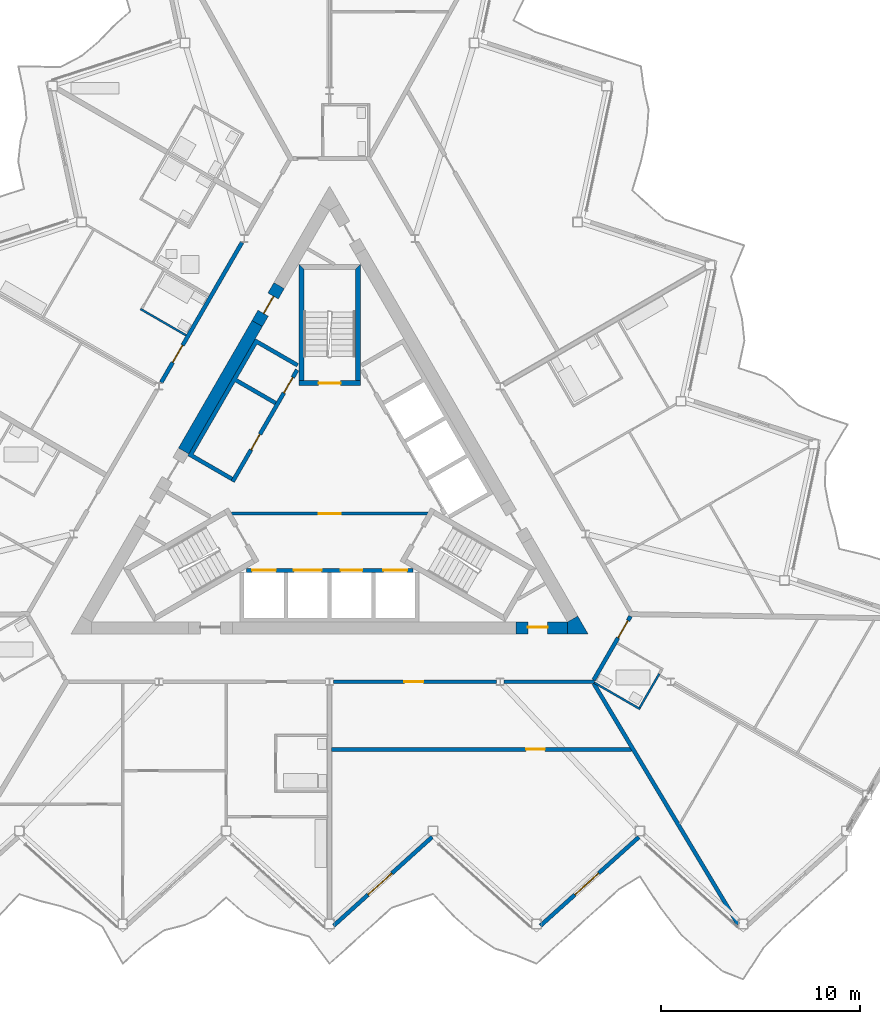
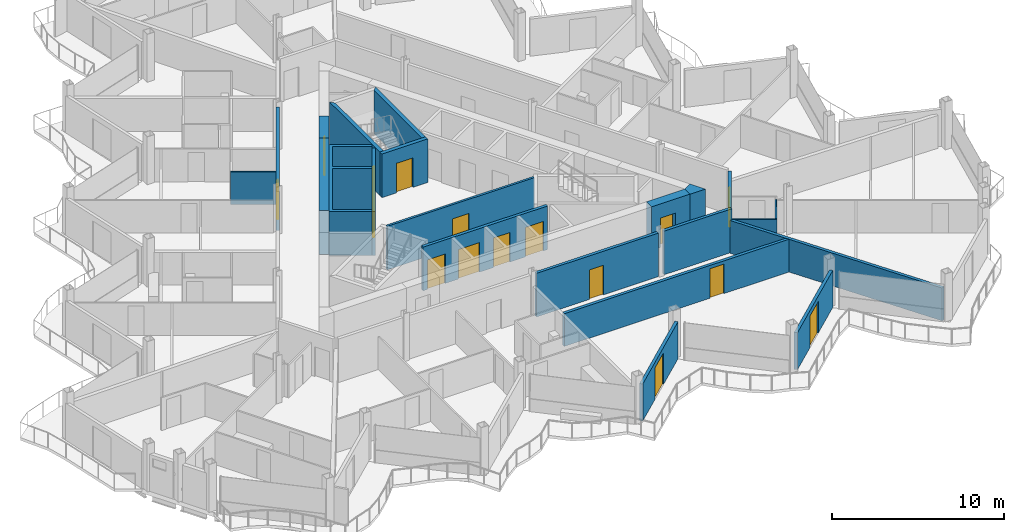
# One storey, part 14 of 26: 22 walls, 16 doors, 16 openings.
"""IFC4 building model written with IfcOpenShell, lengths in metres."""

from ifc_helpers import new_model, si_unit, direction, frame, frame_2d, origin, place, context, subcontext, project, spatial, polyline, rectangle, outline, extrude, material, layer, layer_set, type_object, element, fill, save


model = new_model("IFC4")

# Units and contexts
model_context = context("Model", 3, precision=1e-05, world=origin(), true_north=direction((0.0, 1.0)))
body_context = subcontext(model_context, "Body", "Model", "MODEL_VIEW")
ifc_project = project(units=[si_unit("LENGTHUNIT", "METRE"), si_unit("AREAUNIT", "SQUARE_METRE"), si_unit("VOLUMEUNIT", "CUBIC_METRE"), si_unit("PLANEANGLEUNIT", "RADIAN"), si_unit("MASSUNIT", "GRAM", prefix="KILO")], contexts=[model_context])

# Site, building, storey
site_placement = place(None, origin())
site = spatial("IfcSite", under=ifc_project, at=site_placement, CompositionType="ELEMENT")
building_placement = place(site_placement, origin())
building = spatial("IfcBuilding", under=site, at=building_placement, Name="Cormorant Prow Tower", CompositionType="ELEMENT")
storey_placement = place(building_placement, frame((0.0, 0.0, 381.39990234375)))
storey = spatial("IfcBuildingStorey", under=building, at=storey_placement, Name="L86", CompositionType="ELEMENT", Elevation=381.39990234375)

# Wall, opening, door
ifc_material_1 = material(Name="Gypsum board partition")
ifc_layer_1 = layer(ifc_material_1, 0.14990234375)
ifc_layer_set_1 = layer_set([ifc_layer_1], Name="Gypsum board partition")
wall_type_1 = type_object("IfcWallType", Name="Core partition 150", PredefinedType="PARTITIONING", material=ifc_layer_set_1)
wall_1_placement = place(storey_placement, frame((-4.941162109375, -1.449951171875, 0.0), z_axis=(0.0, 0.0, 1.0), x_axis=(1.0, 0.0, 0.0)))
wall_1 = element("IfcWall", 1, at=wall_1_placement, inside=storey, type_object=wall_type_1, Name="Firefighting lobby partition", PredefinedType="PARTITIONING", context=body_context, shape_type="SweptSolid", body=[
    extrude(rectangle(XDim=9.88232421875, YDim=0.14990234375, at=frame_2d((4.941162109375, 0.0))), origin(), (0.0, 0.0, 1.0), 3.10009765625),
])
opening_1_placement = place(wall_1_placement, frame((4.39111328125, 0.0, 0.0)))
opening_1 = element("IfcOpeningElement", 2, at=opening_1_placement, cuts=wall_1, Name="Opening L86-C11", PredefinedType="OPENING", context=body_context, shape_type="SweptSolid", body=[
    extrude(rectangle(XDim=1.10009765625, YDim=2.10009765625, at=frame_2d((0.550048828125, 1.050048828125))), frame((0.0, 0.0849609375, 0.0), z_axis=(0.0, -1.0, 0.0), x_axis=(1.0, 0.0, 0.0)), (0.0, 0.0, 1.0), 0.169921875),
])
ifc_material_2 = material(Name="Painted steel", Category="steel")
door_type_1 = type_object("IfcDoorType", Name="Firefighting lobby door 1100x2100", OperationType="NOTDEFINED", PredefinedType="DOOR", material=ifc_material_2)
door_1_placement = place(opening_1_placement, origin())
door_1 = element("IfcDoor", 3, at=door_1_placement, inside=storey, type_object=door_type_1, Name="Firefighting lobby door", OperationType="SINGLE_SWING_RIGHT", OverallHeight=2.10009765625, OverallWidth=1.10009765625, PredefinedType="DOOR", context=body_context, shape_type="SweptSolid", body=[
    extrude(rectangle(XDim=1.10009765625, YDim=2.10009765625, at=frame_2d((0.550048828125, 1.050048828125))), frame((0.0, 0.02490234375, 0.0), z_axis=(0.0, -1.0, 0.0), x_axis=(1.0, 0.0, 0.0)), (0.0, 0.0, 1.0), 0.050048828125),
])
fill(opening_1, door_1)

# Walls
ifc_material_3 = material(Name="Concrete 8000 psi", Category="concrete")
ifc_layer_2 = layer(ifc_material_3, 0.60009765625)
ifc_layer_set_2 = layer_set([ifc_layer_2], Name="Concrete 8000 psi")
wall_type_2 = type_object("IfcWallType", Name="Core shear wall 600", PredefinedType="SHEAR", material=ifc_layer_set_2)
wall_2_placement = place(storey_placement, frame((-3.639404296875, 8.107421875, 0.0), z_axis=(0.0, 0.0, 1.0), x_axis=(-0.49999180351, -0.866030135978, 0.0)))
element("IfcWall", 4, at=wall_2_placement, inside=storey, type_object=wall_type_2, Name="Core wall", PredefinedType="SHEAR", context=body_context, shape_type="SweptSolid", body=[
    extrude(rectangle(XDim=7.4013671875, YDim=0.60009765625, at=frame_2d((3.70068359375, 0.0))), origin(), (0.0, 0.0, 1.0), 3.10009765625),
])
wall_3_placement = place(storey_placement, origin())
element("IfcWall", 5, at=wall_3_placement, inside=storey, type_object=wall_type_2, Name="Core wall corner", PredefinedType="SHEAR", context=body_context, shape_type="SweptSolid", body=[
    extrude(outline(polyline([(11.960693359375, -7.505615234375), (11.960693359375, -6.905517578125), (12.48046875, -6.605712890625), (13.0, -7.505615234375), (11.960693359375, -7.505615234375)])), origin(), (0.0, 0.0, 1.0), 3.10009765625),
])

# Wall, opening, door
wall_4_placement = place(storey_placement, frame((9.36865234375, -7.20556640625, 0.0), z_axis=(0.0, 0.0, 1.0), x_axis=(1.0, 0.0, 0.0)))
wall_4 = element("IfcWall", 6, at=wall_4_placement, inside=storey, type_object=wall_type_2, Name="Core wall door panel", PredefinedType="SHEAR", context=body_context, shape_type="SweptSolid", body=[
    extrude(rectangle(XDim=2.592041015625, YDim=0.60009765625, at=frame_2d((1.2958984375, 0.0))), origin(), (0.0, 0.0, 1.0), 3.10009765625),
])
opening_2_placement = place(wall_4_placement, frame((0.60009765625, 0.0, 0.0)))
opening_2 = element("IfcOpeningElement", 7, at=opening_2_placement, cuts=wall_4, Name="Opening L86-C15", PredefinedType="OPENING", context=body_context, shape_type="SweptSolid", body=[
    extrude(rectangle(XDim=1.0, YDim=2.10009765625, at=frame_2d((0.5, 1.050048828125))), frame((0.0, 0.31005859375, 0.0), z_axis=(0.0, -1.0, 0.0), x_axis=(1.0, 0.0, 0.0)), (0.0, 0.0, 1.0), 0.6201171875),
])
ifc_material_4 = material(Name="Painted steel", Category="steel")
door_type_2 = type_object("IfcDoorType", Name="Service door 1000x2100", OperationType="NOTDEFINED", PredefinedType="DOOR", material=ifc_material_4)
door_2_placement = place(opening_2_placement, origin())
door_2 = element("IfcDoor", 8, at=door_2_placement, inside=storey, type_object=door_type_2, Name="Core door, Telecom room", OperationType="SINGLE_SWING_RIGHT", OverallHeight=2.10009765625, OverallWidth=1.0, PredefinedType="DOOR", context=body_context, shape_type="SweptSolid", body=[
    extrude(rectangle(XDim=1.0, YDim=2.10009765625, at=frame_2d((0.5, 1.050048828125))), frame((0.0, 0.05517578125, 0.0), z_axis=(0.0, -1.0, 0.0), x_axis=(1.0, 0.0, 0.0)), (0.0, 0.0, 1.0), 0.050048828125),
])
fill(opening_2, door_2)

wall_5_placement = place(storey_placement, frame((-2.539306640625, 10.0126953125, 0.0), z_axis=(0.0, 0.0, 1.0), x_axis=(-0.50002983664, -0.866008176907, 0.0)))
wall_5 = element("IfcWall", 9, at=wall_5_placement, inside=storey, type_object=wall_type_2, Name="Core wall door panel", PredefinedType="SHEAR", context=body_context, shape_type="SweptSolid", body=[
    extrude(rectangle(XDim=2.199951171875, YDim=0.60009765625, at=frame_2d((1.10009765625, 0.0))), origin(), (0.0, 0.0, 1.0), 3.10009765625),
])
opening_3_placement = place(wall_5_placement, frame((0.60009765625, 0.0, 0.0)))
opening_3 = element("IfcOpeningElement", 10, at=opening_3_placement, cuts=wall_5, Name="Opening L86-C19", PredefinedType="OPENING", context=body_context, shape_type="SweptSolid", body=[
    extrude(rectangle(XDim=1.0, YDim=2.10009765625, at=frame_2d((0.5, 1.050048828125))), frame((0.0, 0.31005859375, 0.0), z_axis=(0.0, -1.0, 0.0), x_axis=(1.0, 0.0, 0.0)), (0.0, 0.0, 1.0), 0.6201171875),
])
door_3_placement = place(opening_3_placement, origin())
door_3 = element("IfcDoor", 11, at=door_3_placement, inside=storey, type_object=door_type_2, Name="Core door, Telecom room", OperationType="SINGLE_SWING_LEFT", OverallHeight=2.10009765625, OverallWidth=1.0, PredefinedType="DOOR", context=body_context, shape_type="SweptSolid", body=[
    extrude(rectangle(XDim=1.0, YDim=2.10009765625, at=frame_2d((0.5, 1.050048828125))), frame((0.0, 0.05517578125, 0.0), z_axis=(0.0, -1.0, 0.0), x_axis=(1.0, 0.0, 0.0)), (0.0, 0.0, 1.0), 0.050048828125),
])
fill(opening_3, door_3)

ifc_material_5 = material(Name="Gypsum board corridor wall")
ifc_layer_3 = layer(ifc_material_5, 0.199951171875)
ifc_layer_set_3 = layer_set([ifc_layer_3], Name="Gypsum board corridor wall")
wall_type_3 = type_object("IfcWallType", Name="Corridor wall 200", PredefinedType="PARTITIONING", material=ifc_layer_set_3)
wall_6_placement = place(storey_placement, frame((0.197021484375, -9.905517578125, 0.0), z_axis=(0.0, 0.0, 1.0), x_axis=(1.0, 0.0, 0.0)))
wall_6 = element("IfcWall", 12, at=wall_6_placement, inside=storey, type_object=wall_type_3, Name="Corridor wall", PredefinedType="PARTITIONING", context=body_context, shape_type="SweptSolid", body=[
    extrude(rectangle(XDim=8.1845703125, YDim=0.199951171875, at=frame_2d((4.09228515625, 0.0))), origin(), (0.0, 0.0, 1.0), 3.10009765625),
])
opening_4_placement = place(wall_6_placement, frame((3.56689453125, 0.0, 0.0)))
opening_4 = element("IfcOpeningElement", 13, at=opening_4_placement, cuts=wall_6, Name="Opening L86-F08", PredefinedType="OPENING", context=body_context, shape_type="SweptSolid", body=[
    extrude(rectangle(XDim=0.949951171875, YDim=2.10009765625, at=frame_2d((0.47509765625, 1.050048828125))), frame((0.0, 0.10986328125, 0.0), z_axis=(0.0, -1.0, 0.0), x_axis=(1.0, 0.0, 0.0)), (0.0, 0.0, 1.0), 0.219970703125),
])
ifc_material_6 = material(Name="Timber door leaf", Category="wood")
door_type_3 = type_object("IfcDoorType", Name="Store door 950x2100", OperationType="NOTDEFINED", PredefinedType="DOOR", material=ifc_material_6)
door_4_placement = place(opening_4_placement, origin())
door_4 = element("IfcDoor", 14, at=door_4_placement, inside=storey, type_object=door_type_3, Name="Bicycle store door", OperationType="SINGLE_SWING_LEFT", OverallHeight=2.10009765625, OverallWidth=0.949951171875, PredefinedType="DOOR", context=body_context, shape_type="SweptSolid", body=[
    extrude(rectangle(XDim=0.949951171875, YDim=2.10009765625, at=frame_2d((0.47509765625, 1.050048828125))), frame((0.0, 0.02490234375, 0.0), z_axis=(0.0, -1.0, 0.0), x_axis=(1.0, 0.0, 0.0)), (0.0, 0.0, 1.0), 0.050048828125),
])
fill(opening_4, door_4)

wall_7_placement = place(storey_placement, frame((-8.464599609375, 5.14990234375, 0.0), z_axis=(0.0, 0.0, 1.0), x_axis=(0.499992155518, 0.866029932751, 0.0)))
wall_7 = element("IfcWall", 15, at=wall_7_placement, inside=storey, type_object=wall_type_3, Name="Corridor wall", PredefinedType="PARTITIONING", context=body_context, shape_type="SweptSolid", body=[
    extrude(rectangle(XDim=8.123291015625, YDim=0.199951171875, at=frame_2d((4.0615234375, 0.0))), origin(), (0.0, 0.0, 1.0), 3.10009765625),
])
opening_5_placement = place(wall_7_placement, frame((1.1533203125, 0.0, 0.0)))
opening_5 = element("IfcOpeningElement", 16, at=opening_5_placement, cuts=wall_7, Name="Opening L86-F33", PredefinedType="OPENING", context=body_context, shape_type="SweptSolid", body=[
    extrude(rectangle(XDim=1.0, YDim=2.10009765625, at=frame_2d((0.5, 1.050048828125))), frame((0.0, 0.10986328125, 0.0), z_axis=(0.0, -1.0, 0.0), x_axis=(1.0, 0.0, 0.0)), (0.0, 0.0, 1.0), 0.219970703125),
])
ifc_material_7 = material(Name="Timber door leaf", Category="wood")
door_type_4 = type_object("IfcDoorType", Name="Flat or room entrance door 1000x2100", OperationType="NOTDEFINED", PredefinedType="DOOR", material=ifc_material_7)
door_5_placement = place(opening_5_placement, origin())
door_5 = element("IfcDoor", 17, at=door_5_placement, inside=storey, type_object=door_type_4, Name="Living room door", OperationType="SINGLE_SWING_RIGHT", OverallHeight=2.10009765625, OverallWidth=1.0, PredefinedType="DOOR", context=body_context, shape_type="SweptSolid", body=[
    extrude(rectangle(XDim=1.0, YDim=2.10009765625, at=frame_2d((0.5, 1.050048828125))), frame((0.0, 0.02490234375, 0.0), z_axis=(0.0, -1.0, 0.0), x_axis=(1.0, 0.0, 0.0)), (0.0, 0.0, 1.0), 0.050048828125),
])
fill(opening_5, door_5)

# Wall
wall_8_placement = place(storey_placement, frame((8.775390625, -9.905517578125, 0.0), z_axis=(0.0, 0.0, 1.0), x_axis=(1.0, 0.0, 0.0)))
element("IfcWall", 18, at=wall_8_placement, inside=storey, type_object=wall_type_3, Name="Corridor wall", PredefinedType="PARTITIONING", context=body_context, shape_type="SweptSolid", body=[
    extrude(rectangle(XDim=4.555419921875, YDim=0.199951171875, at=frame_2d((2.27783203125, 0.0))), origin(), (0.0, 0.0, 1.0), 3.10009765625),
])

# Wall, opening, door
wall_9_placement = place(storey_placement, frame((13.281005859375, -9.819091796875, 0.0), z_axis=(0.0, 0.0, 1.0), x_axis=(0.499948957823, 0.866054870994, 0.0)))
wall_9 = element("IfcWall", 19, at=wall_9_placement, inside=storey, type_object=wall_type_3, Name="Corridor wall", PredefinedType="PARTITIONING", context=body_context, shape_type="SweptSolid", body=[
    extrude(rectangle(XDim=3.701171875, YDim=0.199951171875, at=frame_2d((1.8505859375, 0.0))), origin(), (0.0, 0.0, 1.0), 3.10009765625),
])
opening_6_placement = place(wall_9_placement, frame((2.450927734375, 0.0, 0.0)))
opening_6 = element("IfcOpeningElement", 20, at=opening_6_placement, cuts=wall_9, Name="Opening L86-F10", PredefinedType="OPENING", context=body_context, shape_type="SweptSolid", body=[
    extrude(rectangle(XDim=1.0, YDim=2.10009765625, at=frame_2d((0.5, 1.050048828125))), frame((0.0, 0.10986328125, 0.0), z_axis=(0.0, -1.0, 0.0), x_axis=(1.0, 0.0, 0.0)), (0.0, 0.0, 1.0), 0.219970703125),
])
door_6_placement = place(opening_6_placement, origin())
door_6 = element("IfcDoor", 21, at=door_6_placement, inside=storey, type_object=door_type_4, Name="Living room door", OperationType="SINGLE_SWING_RIGHT", OverallHeight=2.10009765625, OverallWidth=1.0, PredefinedType="DOOR", context=body_context, shape_type="SweptSolid", body=[
    extrude(rectangle(XDim=1.0, YDim=2.10009765625, at=frame_2d((0.5, 1.050048828125))), frame((0.0, 0.02490234375, 0.0), z_axis=(0.0, -1.0, 0.0), x_axis=(1.0, 0.0, 0.0)), (0.0, 0.0, 1.0), 0.050048828125),
])
fill(opening_6, door_6)

ifc_material_8 = material(Name="Gypsum board demising wall")
ifc_layer_4 = layer(ifc_material_8, 0.199951171875)
ifc_layer_set_4 = layer_set([ifc_layer_4], Name="Gypsum board demising wall")
wall_type_4 = type_object("IfcWallType", Name="Demising wall 200", PredefinedType="PARTITIONING", material=ifc_layer_set_4)
wall_10_placement = place(storey_placement, frame((0.10009765625, -13.3056640625, 0.0), z_axis=(0.0, 0.0, 1.0), x_axis=(1.0, 0.0, 0.0)))
wall_10 = element("IfcWall", 22, at=wall_10_placement, inside=storey, type_object=wall_type_4, Name="Demising wall", PredefinedType="PARTITIONING", context=body_context, shape_type="SweptSolid", body=[
    extrude(rectangle(XDim=15.09375, YDim=0.199951171875, at=frame_2d((7.546875, 0.0))), origin(), (0.0, 0.0, 1.0), 2.330078125),
])
opening_7_placement = place(wall_10_placement, frame((9.78076171875, 0.0, 0.0)))
opening_7 = element("IfcOpeningElement", 23, at=opening_7_placement, cuts=wall_10, Name="Opening L86-F09", PredefinedType="OPENING", context=body_context, shape_type="SweptSolid", body=[
    extrude(rectangle(XDim=0.949951171875, YDim=2.10009765625, at=frame_2d((0.47509765625, 1.050048828125))), frame((0.0, 0.10986328125, 0.0), z_axis=(0.0, -1.0, 0.0), x_axis=(1.0, 0.0, 0.0)), (0.0, 0.0, 1.0), 0.219970703125),
])
door_7_placement = place(opening_7_placement, origin())
door_7 = element("IfcDoor", 24, at=door_7_placement, inside=storey, type_object=door_type_3, Name="Refuse room door", OperationType="SINGLE_SWING_LEFT", OverallHeight=2.10009765625, OverallWidth=0.949951171875, PredefinedType="DOOR", context=body_context, shape_type="SweptSolid", body=[
    extrude(rectangle(XDim=0.949951171875, YDim=2.10009765625, at=frame_2d((0.47509765625, 1.050048828125))), frame((0.0, 0.02490234375, 0.0), z_axis=(0.0, -1.0, 0.0), x_axis=(1.0, 0.0, 0.0)), (0.0, 0.0, 1.0), 0.050048828125),
])
fill(opening_7, door_7)

# Walls
wall_11_placement = place(storey_placement, frame((13.2822265625, -9.9912109375, 0.0), z_axis=(0.0, 0.0, 1.0), x_axis=(0.513867741763, -0.857869421285, 0.0)))
element("IfcWall", 25, at=wall_11_placement, inside=storey, type_object=wall_type_4, Name="Demising wall", PredefinedType="PARTITIONING", context=body_context, shape_type="SweptSolid", body=[
    extrude(rectangle(XDim=14.123779296875, YDim=0.199951171875, at=frame_2d((7.06201171875, 0.0))), origin(), (0.0, 0.0, 1.0), 2.330078125),
])
ifc_material_9 = material(Name="Gypsum board partition")
ifc_layer_5 = layer(ifc_material_9, 0.10009765625)
ifc_layer_set_5 = layer_set([ifc_layer_5], Name="Gypsum board partition")
wall_type_5 = type_object("IfcWallType", Name="Internal partition 100", PredefinedType="PARTITIONING", material=ifc_layer_set_5)
wall_12_placement = place(storey_placement, frame((-9.510009765625, 8.83935546875, 0.0), z_axis=(0.0, 0.0, 1.0), x_axis=(0.866029095148, -0.499993606316, 0.0)))
element("IfcWall", 26, at=wall_12_placement, inside=storey, type_object=wall_type_5, Name="Internal partition", PredefinedType="PARTITIONING", context=body_context, shape_type="SweptSolid", body=[
    extrude(rectangle(XDim=2.64990234375, YDim=0.10009765625, at=frame_2d((1.324951171875, 0.0))), origin(), (0.0, 0.0, 1.0), 2.330078125),
])
wall_13_placement = place(storey_placement, frame((13.3173828125, -9.95556640625, 0.0), z_axis=(0.0, 0.0, 1.0), x_axis=(0.866052124492, -0.499953715521, 0.0)))
element("IfcWall", 27, at=wall_13_placement, inside=storey, type_object=wall_type_5, Name="Internal partition", PredefinedType="PARTITIONING", context=body_context, shape_type="SweptSolid", body=[
    extrude(rectangle(XDim=2.650146484375, YDim=0.10009765625, at=frame_2d((1.3251953125, 0.0))), origin(), (0.0, 0.0, 1.0), 2.330078125),
])
wall_14_placement = place(storey_placement, frame((15.59423828125, -11.21240234375, 0.0), z_axis=(0.0, 0.0, 1.0), x_axis=(0.500011643316, 0.866018681408, 0.0)))
element("IfcWall", 28, at=wall_14_placement, inside=storey, type_object=wall_type_5, Name="Internal partition", PredefinedType="PARTITIONING", context=body_context, shape_type="SweptSolid", body=[
    extrude(rectangle(XDim=1.97314453125, YDim=0.10009765625, at=frame_2d((0.986572265625, 0.0))), origin(), (0.0, 0.0, 1.0), 2.330078125),
])

# Wall, openings, doors
ifc_material_10 = material(Name="Concrete 5000 psi", Category="concrete")
ifc_layer_6 = layer(ifc_material_10, 0.199951171875)
ifc_layer_set_6 = layer_set([ifc_layer_6], Name="Concrete 5000 psi")
wall_type_6 = type_object("IfcWallType", Name="Lift lobby wall 200", PredefinedType="SOLIDWALL", material=ifc_layer_set_6)
wall_15_placement = place(storey_placement, frame((-4.1865234375, -4.300048828125, 0.0), z_axis=(0.0, 0.0, 1.0), x_axis=(1.0, 0.0, 0.0)))
wall_15 = element("IfcWall", 29, at=wall_15_placement, inside=storey, type_object=wall_type_6, Name="Lift lobby wall, S block", PredefinedType="SOLIDWALL", context=body_context, shape_type="SweptSolid", body=[
    extrude(rectangle(XDim=8.373046875, YDim=0.199951171875, at=frame_2d((4.1865234375, 0.0))), origin(), (0.0, 0.0, 1.0), 3.10009765625),
])
opening_8_placement = place(wall_15_placement, frame((0.28662109375, 0.0, 0.0)))
opening_8 = element("IfcOpeningElement", 30, at=opening_8_placement, cuts=wall_15, Name="Opening L86-C01", PredefinedType="OPENING", context=body_context, shape_type="SweptSolid", body=[
    extrude(rectangle(XDim=1.199951171875, YDim=2.10009765625, at=frame_2d((0.60009765625, 1.050048828125))), frame((0.0, 0.10986328125, 0.0), z_axis=(0.0, -1.0, 0.0), x_axis=(1.0, 0.0, 0.0)), (0.0, 0.0, 1.0), 0.219970703125),
])
opening_9_placement = place(wall_15_placement, frame((2.38671875, 0.0, 0.0)))
opening_9 = element("IfcOpeningElement", 31, at=opening_9_placement, cuts=wall_15, Name="Opening L86-C02", PredefinedType="OPENING", context=body_context, shape_type="SweptSolid", body=[
    extrude(rectangle(XDim=1.39990234375, YDim=2.10009765625, at=frame_2d((0.699951171875, 1.050048828125))), frame((0.0, 0.10986328125, 0.0), z_axis=(0.0, -1.0, 0.0), x_axis=(1.0, 0.0, 0.0)), (0.0, 0.0, 1.0), 0.219970703125),
])
opening_10_placement = place(wall_15_placement, frame((4.736572265625, 0.0, 0.0)))
opening_10 = element("IfcOpeningElement", 32, at=opening_10_placement, cuts=wall_15, Name="Opening L86-C03", PredefinedType="OPENING", context=body_context, shape_type="SweptSolid", body=[
    extrude(rectangle(XDim=1.10009765625, YDim=2.10009765625, at=frame_2d((0.550048828125, 1.050048828125))), frame((0.0, 0.10986328125, 0.0), z_axis=(0.0, -1.0, 0.0), x_axis=(1.0, 0.0, 0.0)), (0.0, 0.0, 1.0), 0.219970703125),
])
opening_11_placement = place(wall_15_placement, frame((6.88671875, 0.0, 0.0)))
opening_11 = element("IfcOpeningElement", 33, at=opening_11_placement, cuts=wall_15, Name="Opening L86-C04", PredefinedType="OPENING", context=body_context, shape_type="SweptSolid", body=[
    extrude(rectangle(XDim=1.199951171875, YDim=2.10009765625, at=frame_2d((0.60009765625, 1.050048828125))), frame((0.0, 0.10986328125, 0.0), z_axis=(0.0, -1.0, 0.0), x_axis=(1.0, 0.0, 0.0)), (0.0, 0.0, 1.0), 0.219970703125),
])
ifc_material_11 = material(Name="Painted steel", Category="steel")
door_type_5 = type_object("IfcDoorType", Name="Firefighting lift landing door 1200x2100", OperationType="SLIDING_TO_LEFT", PredefinedType="DOOR", material=ifc_material_11)
door_8_placement = place(opening_8_placement, origin())
door_8 = element("IfcDoor", 34, at=door_8_placement, inside=storey, type_object=door_type_5, Name="Landing door FL1", OperationType="SLIDING_TO_LEFT", OverallHeight=2.10009765625, OverallWidth=1.199951171875, PredefinedType="DOOR", context=body_context, shape_type="SweptSolid", body=[
    extrude(rectangle(XDim=1.199951171875, YDim=2.10009765625, at=frame_2d((0.60009765625, 1.050048828125))), frame((0.0, 0.02490234375, 0.0), z_axis=(0.0, -1.0, 0.0), x_axis=(1.0, 0.0, 0.0)), (0.0, 0.0, 1.0), 0.050048828125),
])
fill(opening_8, door_8)
door_9_placement = place(opening_11_placement, origin())
door_9 = element("IfcDoor", 35, at=door_9_placement, inside=storey, type_object=door_type_5, Name="Landing door FL2", OperationType="SLIDING_TO_LEFT", OverallHeight=2.10009765625, OverallWidth=1.199951171875, PredefinedType="DOOR", context=body_context, shape_type="SweptSolid", body=[
    extrude(rectangle(XDim=1.199951171875, YDim=2.10009765625, at=frame_2d((0.60009765625, 1.050048828125))), frame((0.0, 0.02490234375, 0.0), z_axis=(0.0, -1.0, 0.0), x_axis=(1.0, 0.0, 0.0)), (0.0, 0.0, 1.0), 0.050048828125),
])
fill(opening_11, door_9)
ifc_material_12 = material(Name="Painted steel", Category="steel")
door_type_6 = type_object("IfcDoorType", Name="Lift landing door 1100x2100", OperationType="SLIDING_TO_LEFT", PredefinedType="DOOR", material=ifc_material_12)
door_10_placement = place(opening_10_placement, origin())
door_10 = element("IfcDoor", 36, at=door_10_placement, inside=storey, type_object=door_type_6, Name="Landing door HR1", OperationType="SLIDING_TO_LEFT", OverallHeight=2.10009765625, OverallWidth=1.10009765625, PredefinedType="DOOR", context=body_context, shape_type="SweptSolid", body=[
    extrude(rectangle(XDim=1.10009765625, YDim=2.10009765625, at=frame_2d((0.550048828125, 1.050048828125))), frame((0.0, 0.02490234375, 0.0), z_axis=(0.0, -1.0, 0.0), x_axis=(1.0, 0.0, 0.0)), (0.0, 0.0, 1.0), 0.050048828125),
])
fill(opening_10, door_10)
ifc_material_13 = material(Name="Painted steel", Category="steel")
door_type_7 = type_object("IfcDoorType", Name="Service lift landing door 1400x2100", OperationType="SLIDING_TO_LEFT", PredefinedType="DOOR", material=ifc_material_13)
door_11_placement = place(opening_9_placement, origin())
door_11 = element("IfcDoor", 37, at=door_11_placement, inside=storey, type_object=door_type_7, Name="Landing door SL1", OperationType="SLIDING_TO_LEFT", OverallHeight=2.10009765625, OverallWidth=1.39990234375, PredefinedType="DOOR", context=body_context, shape_type="SweptSolid", body=[
    extrude(rectangle(XDim=1.39990234375, YDim=2.10009765625, at=frame_2d((0.699951171875, 1.050048828125))), frame((0.0, 0.02490234375, 0.0), z_axis=(0.0, -1.0, 0.0), x_axis=(1.0, 0.0, 0.0)), (0.0, 0.0, 1.0), 0.050048828125),
])
fill(opening_9, door_11)

wall_16_placement = place(storey_placement, frame((-1.630615234375, 5.775634765625, 0.0), z_axis=(0.0, 0.0, 1.0), x_axis=(-0.499992876559, -0.866029516466, 0.0)))
wall_16 = element("IfcWall", 38, at=wall_16_placement, inside=storey, type_object=wall_type_6, Name="Lift lobby wall, WNW block", PredefinedType="SOLIDWALL", context=body_context, shape_type="SweptSolid", body=[
    extrude(rectangle(XDim=6.486328125, YDim=0.199951171875, at=frame_2d((3.2431640625, 0.0))), origin(), (0.0, 0.0, 1.0), 3.10009765625),
])
opening_12_placement = place(wall_16_placement, frame((0.4365234375, 0.0, 0.0)))
opening_12 = element("IfcOpeningElement", 39, at=opening_12_placement, cuts=wall_16, Name="Opening L86-C09", PredefinedType="OPENING", context=body_context, shape_type="SweptSolid", body=[
    extrude(rectangle(XDim=0.89990234375, YDim=2.10009765625, at=frame_2d((0.449951171875, 1.050048828125))), frame((0.0, 0.10986328125, 0.0), z_axis=(0.0, -1.0, 0.0), x_axis=(1.0, 0.0, 0.0)), (0.0, 0.0, 1.0), 0.219970703125),
])
opening_13_placement = place(wall_16_placement, frame((3.736572265625, 0.0, 0.0)))
opening_13 = element("IfcOpeningElement", 40, at=opening_13_placement, cuts=wall_16, Name="Opening L86-C10", PredefinedType="OPENING", context=body_context, shape_type="SweptSolid", body=[
    extrude(rectangle(XDim=0.89990234375, YDim=2.10009765625, at=frame_2d((0.449951171875, 1.050048828125))), frame((0.0, 0.10986328125, 0.0), z_axis=(0.0, -1.0, 0.0), x_axis=(1.0, 0.0, 0.0)), (0.0, 0.0, 1.0), 0.219970703125),
])
ifc_material_14 = material(Name="Painted steel", Category="steel")
door_type_8 = type_object("IfcDoorType", Name="Service door 900x2100", OperationType="NOTDEFINED", PredefinedType="DOOR", material=ifc_material_14)
door_12_placement = place(opening_12_placement, origin())
door_12 = element("IfcDoor", 41, at=door_12_placement, inside=storey, type_object=door_type_8, Name="Service door, Electrical room", OperationType="SINGLE_SWING_LEFT", OverallHeight=2.10009765625, OverallWidth=0.89990234375, PredefinedType="DOOR", context=body_context, shape_type="SweptSolid", body=[
    extrude(rectangle(XDim=0.89990234375, YDim=2.10009765625, at=frame_2d((0.449951171875, 1.050048828125))), frame((0.0, 0.02490234375, 0.0), z_axis=(0.0, -1.0, 0.0), x_axis=(1.0, 0.0, 0.0)), (0.0, 0.0, 1.0), 0.050048828125),
])
fill(opening_12, door_12)
door_13_placement = place(opening_13_placement, origin())
door_13 = element("IfcDoor", 42, at=door_13_placement, inside=storey, type_object=door_type_8, Name="Service door, Linen store", OperationType="SINGLE_SWING_RIGHT", OverallHeight=2.10009765625, OverallWidth=0.89990234375, PredefinedType="DOOR", context=body_context, shape_type="SweptSolid", body=[
    extrude(rectangle(XDim=0.89990234375, YDim=2.10009765625, at=frame_2d((0.449951171875, 1.050048828125))), frame((0.0, 0.02490234375, 0.0), z_axis=(0.0, -1.0, 0.0), x_axis=(1.0, 0.0, 0.0)), (0.0, 0.0, 1.0), 0.050048828125),
])
fill(opening_13, door_13)

# Walls
ifc_material_15 = material(Name="Concrete 8000 psi", Category="concrete")
ifc_layer_7 = layer(ifc_material_15, 0.199951171875)
ifc_layer_set_7 = layer_set([ifc_layer_7], Name="Concrete 8000 psi")
wall_type_7 = type_object("IfcWallType", Name="Lift shaft wall 200", PredefinedType="SHEAR", material=ifc_layer_set_7)
wall_17_placement = place(storey_placement, origin())
element("IfcWall", 43, at=wall_17_placement, inside=storey, type_object=wall_type_7, Name="Lift shaft walls, WNW block", PredefinedType="SHEAR", context=body_context, shape_type="SweptSolid", body=[
    extrude(outline(polyline([(-4.96044921875, 0.2080078125), (-7.130859375, 1.461181640625), (-3.730712890625, 7.35009765625), (-1.560546875, 6.09716796875), (-1.660400390625, 5.923828125), (-3.65234375, 7.073974609375), (-4.65234375, 5.341796875), (-2.660400390625, 4.19189453125), (-2.760498046875, 4.018798828125), (-4.75244140625, 5.168701171875), (-6.852294921875, 1.53125), (-4.860595703125, 0.38134765625), (-4.96044921875, 0.2080078125)])), origin(), (0.0, 0.0, 1.0), 3.10009765625),
])
ifc_material_16 = material(Name="Concrete 8000 psi", Category="concrete")
ifc_layer_8 = layer(ifc_material_16, 0.25)
ifc_layer_set_8 = layer_set([ifc_layer_8], Name="Concrete 8000 psi")
wall_type_8 = type_object("IfcWallType", Name="Stair wall 250", PredefinedType="SHEAR", material=ifc_layer_set_8)
wall_18_placement = place(storey_placement, origin())
element("IfcWall", 44, at=wall_18_placement, inside=storey, type_object=wall_type_8, Name="Stair ST3 enclosure wall (flank)", PredefinedType="SHEAR", context=body_context, shape_type="SweptSolid", body=[
    extrude(outline(polyline([(1.5439453125, 5.23681640625), (1.5439453125, 11.0869140625), (1.2939453125, 10.8369140625), (1.2939453125, 5.23681640625), (1.5439453125, 5.23681640625)])), origin(), (0.0, 0.0, 1.0), 3.10009765625),
])
wall_19_placement = place(storey_placement, origin())
element("IfcWall", 45, at=wall_19_placement, inside=storey, type_object=wall_type_8, Name="Stair ST3 enclosure wall (flank)", PredefinedType="SHEAR", context=body_context, shape_type="SweptSolid", body=[
    extrude(outline(polyline([(-1.2939453125, 10.8369140625), (-1.5439453125, 11.0869140625), (-1.5439453125, 5.23681640625), (-1.2939453125, 5.23681640625), (-1.2939453125, 10.8369140625)])), origin(), (0.0, 0.0, 1.0), 3.10009765625),
])

# Wall, opening, door
wall_20_placement = place(storey_placement, frame((1.5439453125, 5.11181640625, 0.0), z_axis=(0.0, 0.0, 1.0), x_axis=(-1.0, 0.0, 0.0)))
wall_20 = element("IfcWall", 46, at=wall_20_placement, inside=storey, type_object=wall_type_8, Name="Stair ST3 door wall", PredefinedType="SHEAR", context=body_context, shape_type="SweptSolid", body=[
    extrude(rectangle(XDim=3.087890625, YDim=0.25, at=frame_2d((1.5439453125, 0.0))), origin(), (0.0, 0.0, 1.0), 3.10009765625),
])
opening_14_placement = place(wall_20_placement, frame((0.993896484375, 0.0, 0.0)))
opening_14 = element("IfcOpeningElement", 47, at=opening_14_placement, cuts=wall_20, Name="Opening L86-C14", PredefinedType="OPENING", context=body_context, shape_type="SweptSolid", body=[
    extrude(rectangle(XDim=1.10009765625, YDim=2.10009765625, at=frame_2d((0.550048828125, 1.050048828125))), frame((0.0, 0.135009765625, 0.0), z_axis=(0.0, -1.0, 0.0), x_axis=(1.0, 0.0, 0.0)), (0.0, 0.0, 1.0), 0.27001953125),
])
ifc_material_17 = material(Name="Painted steel", Category="steel")
door_type_9 = type_object("IfcDoorType", Name="Stair door 1100x2100", OperationType="NOTDEFINED", PredefinedType="DOOR", material=ifc_material_17)
door_14_placement = place(opening_14_placement, origin())
door_14 = element("IfcDoor", 48, at=door_14_placement, inside=storey, type_object=door_type_9, Name="Stair ST3 door", OperationType="SINGLE_SWING_LEFT", OverallHeight=2.10009765625, OverallWidth=1.10009765625, PredefinedType="DOOR", context=body_context, shape_type="SweptSolid", body=[
    extrude(rectangle(XDim=1.10009765625, YDim=2.10009765625, at=frame_2d((0.550048828125, 1.050048828125))), frame((0.0, 0.02490234375, 0.0), z_axis=(0.0, -1.0, 0.0), x_axis=(1.0, 0.0, 0.0)), (0.0, 0.0, 1.0), 0.050048828125),
])
fill(opening_14, door_14)

ifc_material_18 = material(Name="Terracotta", Category="masonry")
ifc_layer_9 = layer(ifc_material_18, 0.199951171875)
ifc_layer_set_9 = layer_set([ifc_layer_9], Name="Terracotta")
wall_type_9 = type_object("IfcWallType", Name="Terracotta jamb wall 200", PredefinedType="SOLIDWALL", material=ifc_layer_set_9)
wall_21_placement = place(storey_placement, frame((0.205078125, -22.172607421875, 0.0), z_axis=(0.0, 0.0, 1.0), x_axis=(0.743135582201, 0.669140871915, 0.0)))
wall_21 = element("IfcWall", 49, at=wall_21_placement, inside=storey, type_object=wall_type_9, Name="Terracotta jamb wall S05", PredefinedType="SOLIDWALL", context=body_context, shape_type="SweptSolid", body=[
    extrude(rectangle(XDim=6.66162109375, YDim=0.199951171875, at=frame_2d((3.330810546875, 0.0))), origin(), (0.0, 0.0, 1.0), 2.634033203125),
])
opening_15_placement = place(wall_21_placement, frame((2.332763671875, 0.0, 0.0)))
opening_15 = element("IfcOpeningElement", 50, at=opening_15_placement, cuts=wall_21, Name="Opening ED86.03", PredefinedType="OPENING", context=body_context, shape_type="SweptSolid", body=[
    extrude(rectangle(XDim=1.60009765625, YDim=2.25, at=frame_2d((0.800048828125, 1.125))), frame((0.0, 0.10986328125, 0.0), z_axis=(0.0, -1.0, 0.0), x_axis=(1.0, 0.0, 0.0)), (0.0, 0.0, 1.0), 0.219970703125),
])
ifc_material_19 = material(Name="Aluminium 6063-T6", Category="aluminium")
door_type_10 = type_object("IfcDoorType", Name="Balcony door 1600x2250", OperationType="DOUBLE_DOOR_SINGLE_SWING", PredefinedType="DOOR", material=ifc_material_19)
door_15_placement = place(opening_15_placement, origin())
door_15 = element("IfcDoor", 51, at=door_15_placement, inside=storey, type_object=door_type_10, Name="Balcony door S05 ED86.03", OperationType="DOUBLE_DOOR_SINGLE_SWING", OverallHeight=2.25, OverallWidth=1.60009765625, PredefinedType="DOOR", context=body_context, shape_type="SweptSolid", body=[
    extrude(rectangle(XDim=1.60009765625, YDim=2.25, at=frame_2d((0.800048828125, 1.125))), frame((0.0, 0.02490234375, 0.0), z_axis=(0.0, -1.0, 0.0), x_axis=(1.0, 0.0, 0.0)), (0.0, 0.0, 1.0), 0.050048828125),
])
fill(opening_15, door_15)

wall_22_placement = place(storey_placement, frame((10.60498046875, -22.172607421875, 0.0), z_axis=(0.0, 0.0, 1.0), x_axis=(0.743135582201, 0.669140871915, 0.0)))
wall_22 = element("IfcWall", 52, at=wall_22_placement, inside=storey, type_object=wall_type_9, Name="Terracotta jamb wall S07", PredefinedType="SOLIDWALL", context=body_context, shape_type="SweptSolid", body=[
    extrude(rectangle(XDim=6.66162109375, YDim=0.199951171875, at=frame_2d((3.330810546875, 0.0))), origin(), (0.0, 0.0, 1.0), 2.634033203125),
])
opening_16_placement = place(wall_22_placement, frame((2.332763671875, 0.0, 0.0)))
opening_16 = element("IfcOpeningElement", 53, at=opening_16_placement, cuts=wall_22, Name="Opening ED86.04", PredefinedType="OPENING", context=body_context, shape_type="SweptSolid", body=[
    extrude(rectangle(XDim=1.60009765625, YDim=2.25, at=frame_2d((0.800048828125, 1.125))), frame((0.0, 0.10986328125, 0.0), z_axis=(0.0, -1.0, 0.0), x_axis=(1.0, 0.0, 0.0)), (0.0, 0.0, 1.0), 0.219970703125),
])
door_16_placement = place(opening_16_placement, origin())
door_16 = element("IfcDoor", 54, at=door_16_placement, inside=storey, type_object=door_type_10, Name="Balcony door S07 ED86.04", OperationType="DOUBLE_DOOR_SINGLE_SWING", OverallHeight=2.25, OverallWidth=1.60009765625, PredefinedType="DOOR", context=body_context, shape_type="SweptSolid", body=[
    extrude(rectangle(XDim=1.60009765625, YDim=2.25, at=frame_2d((0.800048828125, 1.125))), frame((0.0, 0.02490234375, 0.0), z_axis=(0.0, -1.0, 0.0), x_axis=(1.0, 0.0, 0.0)), (0.0, 0.0, 1.0), 0.050048828125),
])
fill(opening_16, door_16)

save(model, "model.ifc")
